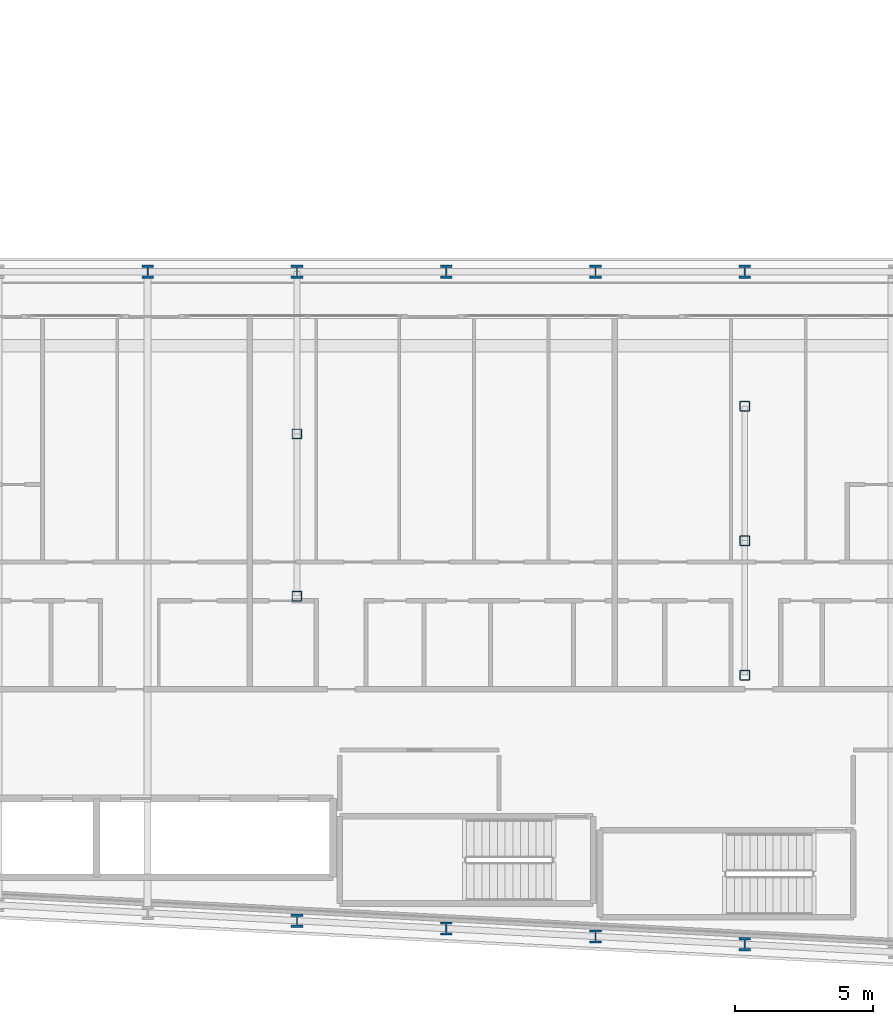
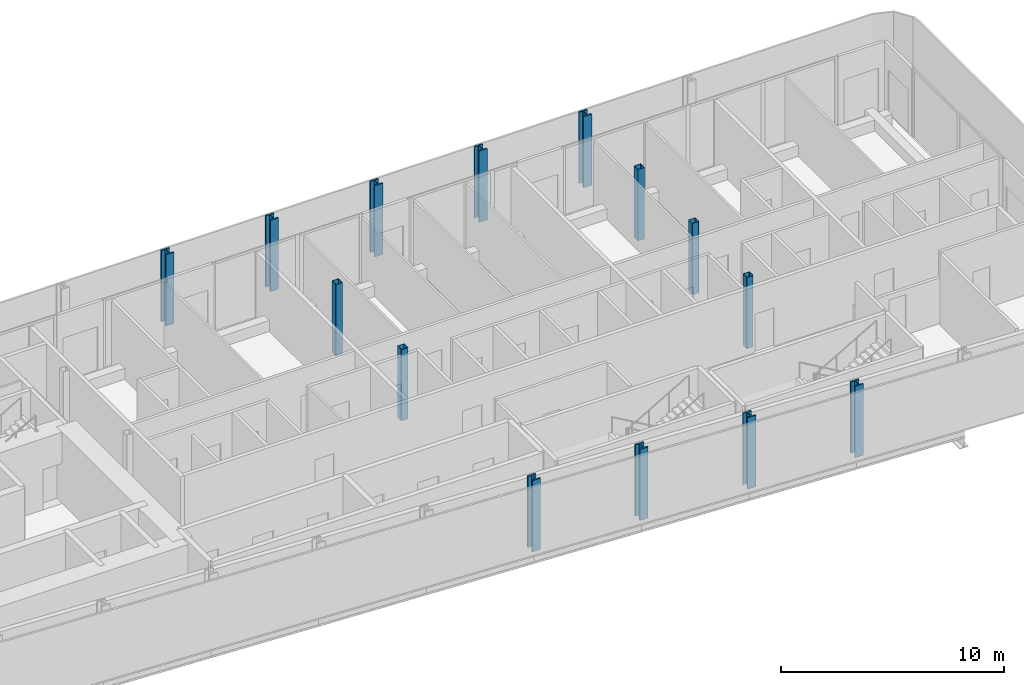
# One storey, part 2 of 28: 14 columns.
"""IFC4 building model written with IfcOpenShell, lengths in metres."""

from ifc_helpers import new_model, si_unit, direction, frame, origin, origin_2d, place, context, subcontext, project, spatial, hollow_rectangle, i_section, extrude, material, material_profile, profile_set, type_object, element, save


model = new_model("IFC4")

# Units and contexts
model_context = context("Model", 3, precision=1e-05, world=origin(), true_north=direction((0.0, 1.0)))
body_context = subcontext(model_context, "Body", "Model", "MODEL_VIEW")
ifc_project = project(units=[si_unit("LENGTHUNIT", "METRE"), si_unit("AREAUNIT", "SQUARE_METRE"), si_unit("VOLUMEUNIT", "CUBIC_METRE"), si_unit("PLANEANGLEUNIT", "RADIAN"), si_unit("MASSUNIT", "GRAM", prefix="KILO")], contexts=[model_context])

# Site, building, storey
site_placement = place(None, origin())
site = spatial("IfcSite", under=ifc_project, at=site_placement, CompositionType="ELEMENT")
building_placement = place(site_placement, origin())
building = spatial("IfcBuilding", under=site, at=building_placement, Name="Kheshtan School and Residences Tower", CompositionType="ELEMENT")
storey_placement = place(building_placement, frame((0.0, 0.0, 73.39990234375)))
storey = spatial("IfcBuildingStorey", under=building, at=storey_placement, Name="L17", CompositionType="ELEMENT", Elevation=73.39990234375)

# Columns
ifc_material_1 = material(Name="Steel ASTM A992 Grade 50", Category="steel")
ifc_material_profile_1 = material_profile(ifc_material_1, i_section(OverallWidth=0.424072265625, OverallDepth=0.47412109375, WebThickness=0.047607421875, FlangeThickness=0.0771484375, FilletRadius=0.01416015625, at=origin_2d()), Name="W360x634")
ifc_profile_set_1 = profile_set([ifc_material_profile_1], Name="Steel ASTM A992 Grade 50")
column_type_1 = type_object("IfcColumnType", Name="Column C1 W360x634 ASTM A992 Grade 50", PredefinedType="COLUMN", material=ifc_profile_set_1)
for number, where, z_axis, x_axis, name in (
    (1, (85.39990234375, 21.27392578125, 0.0), (0.0, 0.0, 1.0), (1.0, 0.0, 0.0), "Column C008"),
    (2, (80.0, 21.55810546875, 0.0), (0.0, 0.0, 1.0), (1.0, 0.0, 0.0), "Column C012"),
    (3, (74.60009765625, 21.843017578125, 0.0), (0.0, 0.0, 1.0), (1.0, 0.0, 0.0), "Column C013"),
    (4, (69.199951171875, 22.126953125, 0.0), (0.0, 0.0, 1.0), (1.0, 0.0, 0.0), "Column C014"),
    (5, (63.800048828125, 45.60009765625, 0.0), (0.0, 0.0, 1.0), (1.0, 0.0, 0.0), "Column C063"),
    (6, (69.199951171875, 45.60009765625, 0.0), (0.0, 0.0, 1.0), (1.0, 0.0, 0.0), "Column C064"),
    (7, (74.60009765625, 45.60009765625, 0.0), (0.0, 0.0, 1.0), (1.0, 0.0, 0.0), "Column C065"),
    (8, (80.0, 45.60009765625, 0.0), (0.0, 0.0, 1.0), (1.0, 0.0, 0.0), "Column C066"),
    (9, (85.39990234375, 45.60009765625, 0.0), (0.0, 0.0, 1.0), (1.0, 0.0, 0.0), "Column C067"),
):
    element("IfcColumn", number, at=place(storey_placement, frame(where, z_axis=z_axis, x_axis=x_axis)), inside=storey, type_object=column_type_1, Name=name, PredefinedType="COLUMN", context=body_context, shape_type="SweptSolid", body=[
        extrude(i_section(OverallWidth=0.424072265625, OverallDepth=0.47412109375, WebThickness=0.047607421875, FlangeThickness=0.0771484375, FilletRadius=0.01416015625, at=origin_2d()), origin(), (0.0, 0.0, 1.0), 3.900146484375),
    ])
ifc_material_2 = material(Name="Steel ASTM A500 Grade C", Category="steel")
ifc_material_profile_2 = material_profile(ifc_material_2, hollow_rectangle(XDim=0.35595703125, YDim=0.35595703125, WallThickness=0.015869140625, InnerFilletRadius=0.015869140625, OuterFilletRadius=0.03173828125, at=origin_2d()), Name="HSS 356x356x15.9")
ifc_profile_set_2 = profile_set([ifc_material_profile_2], Name="Steel ASTM A500 Grade C")
column_type_2 = type_object("IfcColumnType", Name="Column IC1 HSS 356x356x15.9 ASTM A500 Grade C", PredefinedType="COLUMN", material=ifc_profile_set_2)
for number, where, z_axis, x_axis, name in (
    (10, (85.39990234375, 31.0048828125, 0.0), (0.0, 0.0, 1.0), (1.0, 0.0, 0.0), "Column C049"),
    (11, (69.199951171875, 33.863037109375, 0.0), (0.0, 0.0, 1.0), (1.0, 0.0, 0.0), "Column C050"),
    (12, (85.39990234375, 35.8701171875, 0.0), (0.0, 0.0, 1.0), (1.0, 0.0, 0.0), "Column C053"),
    (13, (69.199951171875, 39.73193359375, 0.0), (0.0, 0.0, 1.0), (1.0, 0.0, 0.0), "Column C054"),
    (14, (85.39990234375, 40.735107421875, 0.0), (0.0, 0.0, 1.0), (1.0, 0.0, 0.0), "Column C057"),
):
    element("IfcColumn", number, at=place(storey_placement, frame(where, z_axis=z_axis, x_axis=x_axis)), inside=storey, type_object=column_type_2, Name=name, PredefinedType="COLUMN", context=body_context, shape_type="SweptSolid", body=[
        extrude(hollow_rectangle(XDim=0.35595703125, YDim=0.35595703125, WallThickness=0.015869140625, InnerFilletRadius=0.015869140625, OuterFilletRadius=0.03173828125, at=origin_2d()), origin(), (0.0, 0.0, 1.0), 3.900146484375),
    ])

save(model, "model.ifc")
